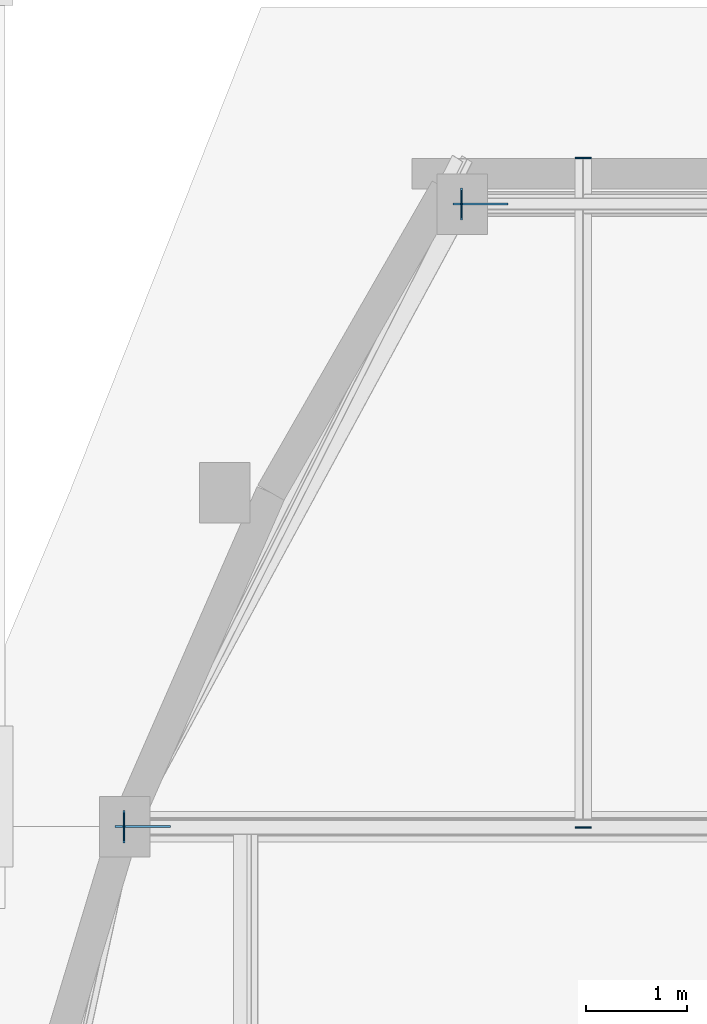
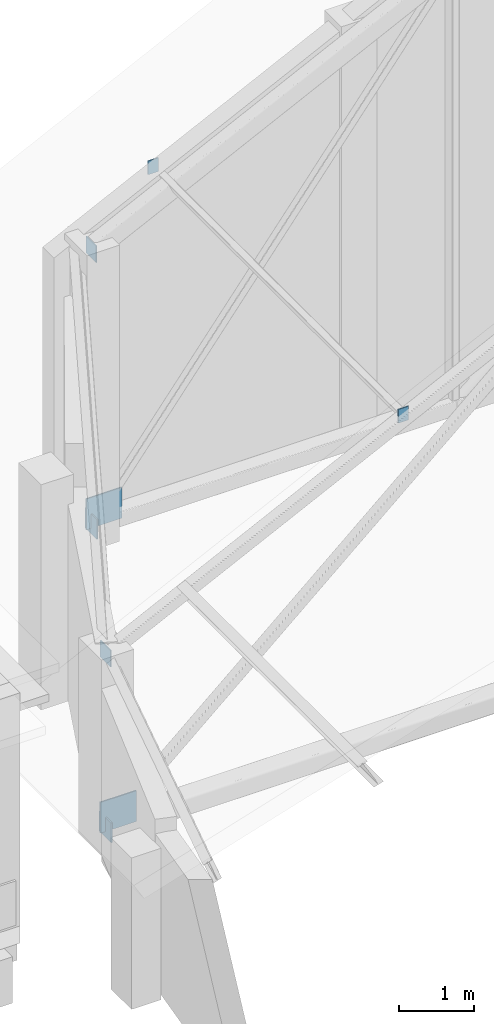
# One storey, part 50 of 78: 8 plates.
"""IFC4 building model written with IfcOpenShell, lengths in metres."""

from ifc_helpers import new_model, si_unit, direction, frame, origin, origin_2d, place, context, subcontext, project, spatial, rectangle, extrude, material, layer, layer_set, type_object, element, save


model = new_model("IFC4")

# Units and contexts
model_context = context("Model", 3, precision=1e-05, world=origin(), true_north=direction((0.0, 1.0)))
body_context = subcontext(model_context, "Body", "Model", "MODEL_VIEW")
ifc_project = project(units=[si_unit("LENGTHUNIT", "METRE"), si_unit("AREAUNIT", "SQUARE_METRE"), si_unit("VOLUMEUNIT", "CUBIC_METRE"), si_unit("PLANEANGLEUNIT", "RADIAN"), si_unit("MASSUNIT", "GRAM", prefix="KILO")], contexts=[model_context])

# Site, building, storey
site_placement = place(None, origin())
site = spatial("IfcSite", under=ifc_project, at=site_placement, CompositionType="ELEMENT")
building_placement = place(site_placement, origin())
building = spatial("IfcBuilding", under=site, at=building_placement, Name="Kelanivale Promenade Academy", CompositionType="ELEMENT")
storey_placement = place(building_placement, frame((0.0, 0.0, 16.199951171875)))
storey = spatial("IfcBuildingStorey", under=building, at=storey_placement, Name="L04", CompositionType="ELEMENT", Elevation=16.199951171875)

# Plates
ifc_material = material(Name="Steel S355", Category="steel")
ifc_layer_1 = layer(ifc_material, 0.01611328125)
ifc_layer_set_1 = layer_set([ifc_layer_1], Name="Steel S355")
plate_type_1 = type_object("IfcPlateType", Name="TN-CP16 Plate 16mm", PredefinedType="USERDEFINED", material=ifc_layer_set_1)
for number, where, z_axis, x_axis, name in (
    (1, (124.7919921875, 72.77099609375, 2.8740234375), (0.0, 0.0, 1.0), (-1.0, 0.0, 0.0), "ROOF TRUSS TN-1 hollow-section end cap plate"),
    (2, (128.14208984375, 78.949951171875, 4.510009765625), (0.0, 0.0, 1.0), (-1.0, 0.0, 0.0), "ROOF TRUSS TN-1 hollow-section end cap plate"),
):
    element("IfcPlate", number, at=place(storey_placement, frame(where, z_axis=z_axis, x_axis=x_axis)), inside=storey, type_object=plate_type_1, Name=name, ObjectType="CAP PLATE", PredefinedType="USERDEFINED", context=body_context, shape_type="SweptSolid", body=[
        extrude(rectangle(XDim=0.01611328125, YDim=0.27001953125, at=origin_2d()), origin(), (0.0, 0.0, 1.0), 0.27001953125),
    ])
for number, where, z_axis, x_axis, name in (
    (3, (129.35009765625, 72.762939453125, 5.18603515625), (0.0, 0.0, 1.0), (0.0, -1.0, 0.0), "ROOF TRUSS TN-4 hollow-section end cap plate"),
    (4, (129.35009765625, 79.407958984375, 5.18603515625), (0.0, 0.0, 1.0), (0.0, 1.0, 0.0), "ROOF TRUSS TN-4 hollow-section end cap plate"),
):
    element("IfcPlate", number, at=place(storey_placement, frame(where, z_axis=z_axis, x_axis=x_axis)), inside=storey, type_object=plate_type_1, Name=name, ObjectType="CAP PLATE", PredefinedType="USERDEFINED", context=body_context, shape_type="SweptSolid", body=[
        extrude(rectangle(XDim=0.01611328125, YDim=0.159912109375, at=origin_2d()), origin(), (0.0, 0.0, 1.0), 0.219970703125),
    ])
ifc_layer_2 = layer(ifc_material, 0.02001953125)
ifc_layer_set_2 = layer_set([ifc_layer_2], Name="Steel S355")
plate_type_2 = type_object("IfcPlateType", Name="TN-CP20 Plate 20mm", PredefinedType="USERDEFINED", material=ifc_layer_set_2)
for number, where, z_axis, x_axis, name in (
    (5, (124.7900390625, 72.77099609375, 0.0400390625), (0.0, 0.0, 1.0), (-1.0, 0.0, 0.0), "ROOF TRUSS TN-1 hollow-section end cap plate"),
    (6, (128.139892578125, 78.949951171875, 0.0400390625), (0.0, 0.0, 1.0), (-1.0, 0.0, 0.0), "ROOF TRUSS TN-1 hollow-section end cap plate"),
):
    element("IfcPlate", number, at=place(storey_placement, frame(where, z_axis=z_axis, x_axis=x_axis)), inside=storey, type_object=plate_type_2, Name=name, ObjectType="CAP PLATE", PredefinedType="USERDEFINED", context=body_context, shape_type="SweptSolid", body=[
        extrude(rectangle(XDim=0.02001953125, YDim=0.320068359375, at=origin_2d()), origin(), (0.0, 0.0, 1.0), 0.320068359375),
    ])
ifc_layer_3 = layer(ifc_material, 0.02001953125)
ifc_layer_set_3 = layer_set([ifc_layer_3], Name="Steel S355")
plate_type_3 = type_object("IfcPlateType", Name="TN-GP20 Plate 20mm", PredefinedType="USERDEFINED", material=ifc_layer_set_3)
for number, where, z_axis, x_axis, name in (
    (7, (124.97998046875, 72.77099609375, 0.130126953125), (0.0, 0.0, 1.0), (1.0, 0.0, 0.0), "ROOF TRUSS TN-1 welded node gusset plate"),
    (8, (128.330078125, 78.949951171875, 0.130126953125), (0.0, 0.0, 1.0), (1.0, 0.0, 0.0), "ROOF TRUSS TN-1 welded node gusset plate"),
):
    element("IfcPlate", number, at=place(storey_placement, frame(where, z_axis=z_axis, x_axis=x_axis)), inside=storey, type_object=plate_type_3, Name=name, ObjectType="GUSSET PLATE", PredefinedType="USERDEFINED", context=body_context, shape_type="SweptSolid", body=[
        extrude(rectangle(XDim=0.550048828125, YDim=0.02001953125, at=origin_2d()), origin(), (0.0, 0.0, 1.0), 0.5),
    ])

save(model, "model.ifc")
